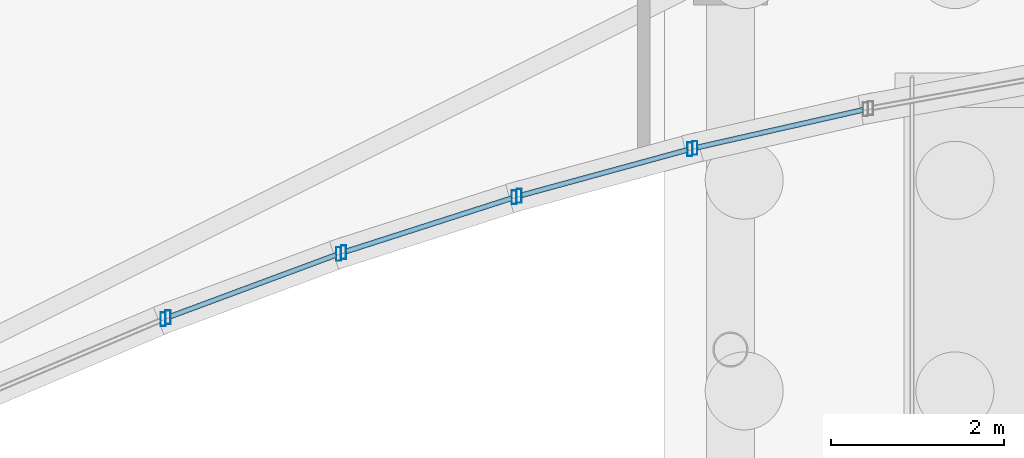
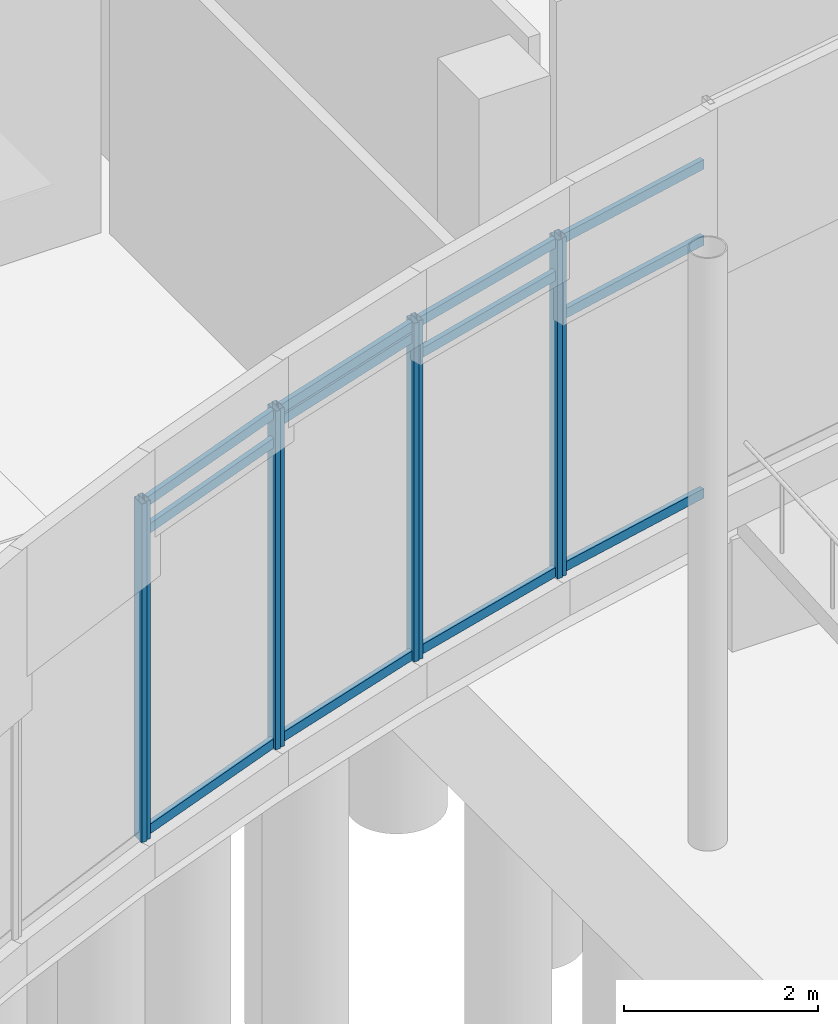
# One storey, part 48 of 192: 20 members, 5 elements without a shape of their own.
"""IFC4 building model written with IfcOpenShell, lengths in metres."""

from ifc_helpers import new_model, si_unit, direction, frame, origin, origin_2d, place, context, subcontext, project, spatial, hollow_rectangle, extrude, material, material_profile, profile_set, type_object, element, aggregate, save


model = new_model("IFC4")

# Units and contexts
model_context = context("Model", 3, precision=1e-05, world=origin(), true_north=direction((0.0, 1.0)))
body_context = subcontext(model_context, "Body", "Model", "MODEL_VIEW")
ifc_project = project(units=[si_unit("LENGTHUNIT", "METRE"), si_unit("AREAUNIT", "SQUARE_METRE"), si_unit("VOLUMEUNIT", "CUBIC_METRE"), si_unit("PLANEANGLEUNIT", "RADIAN"), si_unit("MASSUNIT", "GRAM", prefix="KILO")], contexts=[model_context])

# Site, building, storey
site_placement = place(None, origin())
site = spatial("IfcSite", under=ifc_project, at=site_placement, CompositionType="ELEMENT")
building_placement = place(site_placement, origin())
building = spatial("IfcBuilding", under=site, at=building_placement, Name="Cendralis Lancet Convention Centre", CompositionType="ELEMENT")
storey_placement = place(building_placement, origin())
storey = spatial("IfcBuildingStorey", under=building, at=storey_placement, Name="L00", CompositionType="ELEMENT", Elevation=0.0)

# Curtain wall, member
ifc_material = material(Name="Anodised bronze architectural aluminium", Category="aluminium")
curtain_wall_type = type_object("IfcCurtainWallType", Name="ARC-CW-WF01", PredefinedType="USERDEFINED", material=ifc_material)
curtain_wall_1_placement = place(storey_placement, origin())
curtain_wall_1 = element("IfcCurtainWall", 1, at=curtain_wall_1_placement, inside=storey, type_object=curtain_wall_type, Name="L00 Curtain Wall CW-WF1 #037", ObjectType="CURTAIN WALL", PredefinedType="USERDEFINED")
ifc_material_profile_1 = material_profile(ifc_material, hollow_rectangle(XDim=0.06005859375, YDim=0.159912109375, WallThickness=0.00390625, at=origin_2d()), Name="AL-MULL 60x160x4.0")
ifc_profile_set_1 = profile_set([ifc_material_profile_1], Name="Anodised bronze architectural aluminium")
member_type_1 = type_object("IfcMemberType", Name="ARC-CW-ML01", PredefinedType="MULLION", material=ifc_profile_set_1)
member_1_placement = place(storey_placement, frame((87.057373046875, 10.349365234375, 0.449951171875), z_axis=(0.0, 0.0, 1.0), x_axis=(1.0, 0.0, 0.0)))
member_1 = element("IfcMember", 2, at=member_1_placement, type_object=member_type_1, Name="Mullion CW2-CW-WF1-L00-037-M1", PredefinedType="MULLION", context=body_context, shape_type="SweptSolid", body=[
    extrude(hollow_rectangle(XDim=0.06005859375, YDim=0.159912109375, WallThickness=0.00390625, at=origin_2d()), origin(), (0.0, 0.0, 1.0), 4.255126953125),
])
aggregate(curtain_wall_1, [member_1])

# Curtain wall, members
curtain_wall_2_placement = place(storey_placement, origin())
curtain_wall_2 = element("IfcCurtainWall", 3, at=curtain_wall_2_placement, inside=storey, type_object=curtain_wall_type, Name="L00 Curtain Wall CW-WF1 #038", ObjectType="CURTAIN WALL", PredefinedType="USERDEFINED")
member_2_placement = place(storey_placement, frame((87.113037109375, 10.371337890625, 0.449951171875), z_axis=(0.0, 0.0, 1.0), x_axis=(1.0, 0.0, 0.0)))
member_2 = element("IfcMember", 4, at=member_2_placement, type_object=member_type_1, Name="Mullion CW2-CW-WF1-L00-038-M0", PredefinedType="MULLION", context=body_context, shape_type="SweptSolid", body=[
    extrude(hollow_rectangle(XDim=0.06005859375, YDim=0.159912109375, WallThickness=0.00390625, at=origin_2d()), origin(), (0.0, 0.0, 1.0), 4.255126953125),
])
member_3_placement = place(storey_placement, frame((89.081787109375, 11.1025390625, 0.449951171875), z_axis=(0.0, 0.0, 1.0), x_axis=(1.0, 0.0, 0.0)))
member_3 = element("IfcMember", 5, at=member_3_placement, type_object=member_type_1, Name="Mullion CW2-CW-WF1-L00-038-M1", PredefinedType="MULLION", context=body_context, shape_type="SweptSolid", body=[
    extrude(hollow_rectangle(XDim=0.06005859375, YDim=0.159912109375, WallThickness=0.00390625, at=origin_2d()), origin(), (0.0, 0.0, 1.0), 4.255126953125),
])

curtain_wall_3_placement = place(storey_placement, origin())
curtain_wall_3 = element("IfcCurtainWall", 6, at=curtain_wall_3_placement, inside=storey, type_object=curtain_wall_type, Name="L00 Curtain Wall CW-WF1 #039", ObjectType="CURTAIN WALL", PredefinedType="USERDEFINED")
member_4_placement = place(storey_placement, frame((89.138671875, 11.122314453125, 0.449951171875), z_axis=(0.0, 0.0, 1.0), x_axis=(1.0, 0.0, 0.0)))
member_4 = element("IfcMember", 7, at=member_4_placement, type_object=member_type_1, Name="Mullion CW2-CW-WF1-L00-039-M0", PredefinedType="MULLION", context=body_context, shape_type="SweptSolid", body=[
    extrude(hollow_rectangle(XDim=0.06005859375, YDim=0.159912109375, WallThickness=0.00390625, at=origin_2d()), origin(), (0.0, 0.0, 1.0), 4.255126953125),
])
member_5_placement = place(storey_placement, frame((91.1064453125, 11.7548828125, 0.449951171875), z_axis=(0.0, 0.0, 1.0), x_axis=(1.0, 0.0, 0.0)))
member_5 = element("IfcMember", 8, at=member_5_placement, type_object=member_type_1, Name="Mullion CW2-CW-WF1-L00-039-M1", PredefinedType="MULLION", context=body_context, shape_type="SweptSolid", body=[
    extrude(hollow_rectangle(XDim=0.06005859375, YDim=0.159912109375, WallThickness=0.00390625, at=origin_2d()), origin(), (0.0, 0.0, 1.0), 4.255126953125),
])

curtain_wall_4_placement = place(storey_placement, origin())
curtain_wall_4 = element("IfcCurtainWall", 9, at=curtain_wall_4_placement, inside=storey, type_object=curtain_wall_type, Name="L00 Curtain Wall CW-WF1 #040", ObjectType="CURTAIN WALL", PredefinedType="USERDEFINED")
member_6_placement = place(storey_placement, frame((91.163818359375, 11.77197265625, 0.449951171875), z_axis=(0.0, 0.0, 1.0), x_axis=(1.0, 0.0, 0.0)))
member_6 = element("IfcMember", 10, at=member_6_placement, type_object=member_type_1, Name="Mullion CW2-CW-WF1-L00-040-M0", PredefinedType="MULLION", context=body_context, shape_type="SweptSolid", body=[
    extrude(hollow_rectangle(XDim=0.06005859375, YDim=0.159912109375, WallThickness=0.00390625, at=origin_2d()), origin(), (0.0, 0.0, 1.0), 4.255126953125),
])
member_7_placement = place(storey_placement, frame((93.132080078125, 12.31005859375, 0.449951171875), z_axis=(0.0, 0.0, 1.0), x_axis=(1.0, 0.0, 0.0)))
member_7 = element("IfcMember", 11, at=member_7_placement, type_object=member_type_1, Name="Mullion CW2-CW-WF1-L00-040-M1", PredefinedType="MULLION", context=body_context, shape_type="SweptSolid", body=[
    extrude(hollow_rectangle(XDim=0.06005859375, YDim=0.159912109375, WallThickness=0.00390625, at=origin_2d()), origin(), (0.0, 0.0, 1.0), 4.255126953125),
])

# Curtain wall, member
curtain_wall_5_placement = place(storey_placement, origin())
curtain_wall_5 = element("IfcCurtainWall", 12, at=curtain_wall_5_placement, inside=storey, type_object=curtain_wall_type, Name="L00 Curtain Wall CW-WF1 #041", ObjectType="CURTAIN WALL", PredefinedType="USERDEFINED")
member_8_placement = place(storey_placement, frame((93.190185546875, 12.32470703125, 0.449951171875), z_axis=(0.0, 0.0, 1.0), x_axis=(1.0, 0.0, 0.0)))
member_8 = element("IfcMember", 13, at=member_8_placement, type_object=member_type_1, Name="Mullion CW2-CW-WF1-L00-041-M0", PredefinedType="MULLION", context=body_context, shape_type="SweptSolid", body=[
    extrude(hollow_rectangle(XDim=0.06005859375, YDim=0.159912109375, WallThickness=0.00390625, at=origin_2d()), origin(), (0.0, 0.0, 1.0), 4.255126953125),
])

# Member
ifc_material_profile_2 = material_profile(ifc_material, hollow_rectangle(XDim=0.06005859375, YDim=0.1201171875, WallThickness=0.00390625, at=origin_2d()), Name="AL-TRAN 60x120x4.0")
ifc_profile_set_2 = profile_set([ifc_material_profile_2], Name="Anodised bronze architectural aluminium")
member_type_2 = type_object("IfcMemberType", Name="ARC-CW-TR01", PredefinedType="USERDEFINED", material=ifc_profile_set_2)
member_9_placement = place(storey_placement, frame((87.14111328125, 10.3818359375, 0.510009765625), z_axis=(0.93745539935, 0.348105406779, 0.0), x_axis=(-0.348105406779, 0.93745539935, 0.0)))
member_9 = element("IfcMember", 14, at=member_9_placement, type_object=member_type_2, Name="Transom CW2-CW-WF1-L00-038-T0BOT", ObjectType="TRANSOM", PredefinedType="USERDEFINED", context=body_context, shape_type="SweptSolid", body=[
    extrude(hollow_rectangle(XDim=0.06005859375, YDim=0.1201171875, WallThickness=0.00390625, at=origin_2d()), origin(), (0.0, 0.0, 1.0), 2.040283203125),
])

member_10_placement = place(storey_placement, frame((87.14111328125, 10.3818359375, 4.2890625), z_axis=(0.93745539935, 0.348105406779, 0.0), x_axis=(-0.348105406779, 0.93745539935, 0.0)))
member_10 = element("IfcMember", 15, at=member_10_placement, type_object=member_type_2, Name="Transom CW2-CW-WF1-L00-038-T0MID", ObjectType="TRANSOM", PredefinedType="USERDEFINED", context=body_context, shape_type="SweptSolid", body=[
    extrude(hollow_rectangle(XDim=0.06005859375, YDim=0.1201171875, WallThickness=0.00390625, at=origin_2d()), origin(), (0.0, 0.0, 1.0), 2.040283203125),
])

member_11_placement = place(storey_placement, frame((87.14111328125, 10.3818359375, 4.64501953125), z_axis=(0.93745539935, 0.348105406779, 0.0), x_axis=(-0.348105406779, 0.93745539935, 0.0)))
member_11 = element("IfcMember", 16, at=member_11_placement, type_object=member_type_2, Name="Transom CW2-CW-WF1-L00-038-T0TOP", ObjectType="TRANSOM", PredefinedType="USERDEFINED", context=body_context, shape_type="SweptSolid", body=[
    extrude(hollow_rectangle(XDim=0.06005859375, YDim=0.1201171875, WallThickness=0.00390625, at=origin_2d()), origin(), (0.0, 0.0, 1.0), 2.040283203125),
])

aggregate(curtain_wall_2, [member_2, member_3, member_9, member_10, member_11])

member_12_placement = place(storey_placement, frame((89.1669921875, 11.13134765625, 0.510009765625), z_axis=(0.952022233348, 0.306028866629, 0.0), x_axis=(-0.306028866629, 0.952022233348, 0.0)))
member_12 = element("IfcMember", 17, at=member_12_placement, type_object=member_type_2, Name="Transom CW2-CW-WF1-L00-039-T0BOT", ObjectType="TRANSOM", PredefinedType="USERDEFINED", context=body_context, shape_type="SweptSolid", body=[
    extrude(hollow_rectangle(XDim=0.06005859375, YDim=0.1201171875, WallThickness=0.00390625, at=origin_2d()), origin(), (0.0, 0.0, 1.0), 2.007080078125),
])

member_13_placement = place(storey_placement, frame((89.1669921875, 11.13134765625, 4.4990234375), z_axis=(0.952022233348, 0.306028866629, 0.0), x_axis=(-0.306028866629, 0.952022233348, 0.0)))
member_13 = element("IfcMember", 18, at=member_13_placement, type_object=member_type_2, Name="Transom CW2-CW-WF1-L00-039-T0MID", ObjectType="TRANSOM", PredefinedType="USERDEFINED", context=body_context, shape_type="SweptSolid", body=[
    extrude(hollow_rectangle(XDim=0.06005859375, YDim=0.1201171875, WallThickness=0.00390625, at=origin_2d()), origin(), (0.0, 0.0, 1.0), 2.007080078125),
])

member_14_placement = place(storey_placement, frame((89.1669921875, 11.13134765625, 4.64501953125), z_axis=(0.952022233348, 0.306028866629, 0.0), x_axis=(-0.306028866629, 0.952022233348, 0.0)))
member_14 = element("IfcMember", 19, at=member_14_placement, type_object=member_type_2, Name="Transom CW2-CW-WF1-L00-039-T0TOP", ObjectType="TRANSOM", PredefinedType="USERDEFINED", context=body_context, shape_type="SweptSolid", body=[
    extrude(hollow_rectangle(XDim=0.06005859375, YDim=0.1201171875, WallThickness=0.00390625, at=origin_2d()), origin(), (0.0, 0.0, 1.0), 2.007080078125),
])

aggregate(curtain_wall_3, [member_4, member_5, member_12, member_13, member_14])

member_15_placement = place(storey_placement, frame((91.19287109375, 11.77978515625, 0.510009765625), z_axis=(0.964570100196, 0.26382668896, 0.0), x_axis=(-0.26382668896, 0.964570100196, 0.0)))
member_15 = element("IfcMember", 20, at=member_15_placement, type_object=member_type_2, Name="Transom CW2-CW-WF1-L00-040-T0BOT", ObjectType="TRANSOM", PredefinedType="USERDEFINED", context=body_context, shape_type="SweptSolid", body=[
    extrude(hollow_rectangle(XDim=0.06005859375, YDim=0.1201171875, WallThickness=0.00390625, at=origin_2d()), origin(), (0.0, 0.0, 1.0), 1.980224609375),
])

member_16_placement = place(storey_placement, frame((91.19287109375, 11.77978515625, 4.235107421875), z_axis=(0.964570100196, 0.26382668896, 0.0), x_axis=(-0.26382668896, 0.964570100196, 0.0)))
member_16 = element("IfcMember", 21, at=member_16_placement, type_object=member_type_2, Name="Transom CW2-CW-WF1-L00-040-T0MID", ObjectType="TRANSOM", PredefinedType="USERDEFINED", context=body_context, shape_type="SweptSolid", body=[
    extrude(hollow_rectangle(XDim=0.06005859375, YDim=0.1201171875, WallThickness=0.00390625, at=origin_2d()), origin(), (0.0, 0.0, 1.0), 1.980224609375),
])

member_17_placement = place(storey_placement, frame((91.19287109375, 11.77978515625, 4.64501953125), z_axis=(0.964570100196, 0.26382668896, 0.0), x_axis=(-0.26382668896, 0.964570100196, 0.0)))
member_17 = element("IfcMember", 22, at=member_17_placement, type_object=member_type_2, Name="Transom CW2-CW-WF1-L00-040-T0TOP", ObjectType="TRANSOM", PredefinedType="USERDEFINED", context=body_context, shape_type="SweptSolid", body=[
    extrude(hollow_rectangle(XDim=0.06005859375, YDim=0.1201171875, WallThickness=0.00390625, at=origin_2d()), origin(), (0.0, 0.0, 1.0), 1.980224609375),
])

aggregate(curtain_wall_4, [member_6, member_7, member_15, member_16, member_17])

member_18_placement = place(storey_placement, frame((93.219482421875, 12.331298828125, 0.510009765625), z_axis=(0.97527118996, 0.221011551813, 0.0), x_axis=(-0.221011551813, 0.97527118996, 0.0)))
member_18 = element("IfcMember", 23, at=member_18_placement, type_object=member_type_2, Name="Transom CW2-CW-WF1-L00-041-T0BOT", ObjectType="TRANSOM", PredefinedType="USERDEFINED", context=body_context, shape_type="SweptSolid", body=[
    extrude(hollow_rectangle(XDim=0.06005859375, YDim=0.1201171875, WallThickness=0.00390625, at=origin_2d()), origin(), (0.0, 0.0, 1.0), 1.956298828125),
])

member_19_placement = place(storey_placement, frame((93.219482421875, 12.331298828125, 3.68896484375), z_axis=(0.97527118996, 0.221011551813, 0.0), x_axis=(-0.221011551813, 0.97527118996, 0.0)))
member_19 = element("IfcMember", 24, at=member_19_placement, type_object=member_type_2, Name="Transom CW2-CW-WF1-L00-041-T0MID", ObjectType="TRANSOM", PredefinedType="USERDEFINED", context=body_context, shape_type="SweptSolid", body=[
    extrude(hollow_rectangle(XDim=0.06005859375, YDim=0.1201171875, WallThickness=0.00390625, at=origin_2d()), origin(), (0.0, 0.0, 1.0), 1.956298828125),
])

member_20_placement = place(storey_placement, frame((93.219482421875, 12.331298828125, 4.64501953125), z_axis=(0.97527118996, 0.221011551813, 0.0), x_axis=(-0.221011551813, 0.97527118996, 0.0)))
member_20 = element("IfcMember", 25, at=member_20_placement, type_object=member_type_2, Name="Transom CW2-CW-WF1-L00-041-T0TOP", ObjectType="TRANSOM", PredefinedType="USERDEFINED", context=body_context, shape_type="SweptSolid", body=[
    extrude(hollow_rectangle(XDim=0.06005859375, YDim=0.1201171875, WallThickness=0.00390625, at=origin_2d()), origin(), (0.0, 0.0, 1.0), 1.956298828125),
])

aggregate(curtain_wall_5, [member_8, member_18, member_19, member_20])

save(model, "model.ifc")
